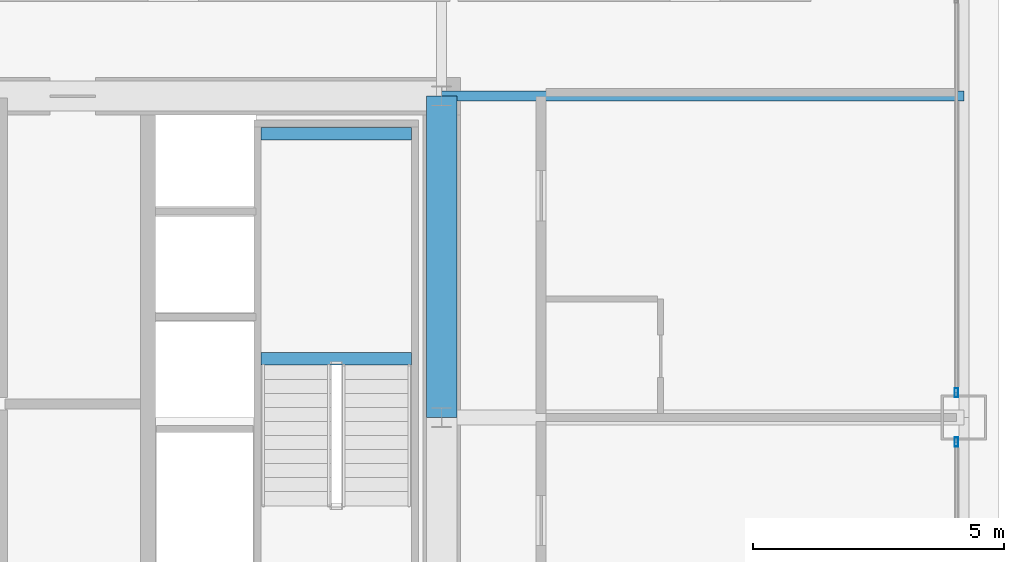
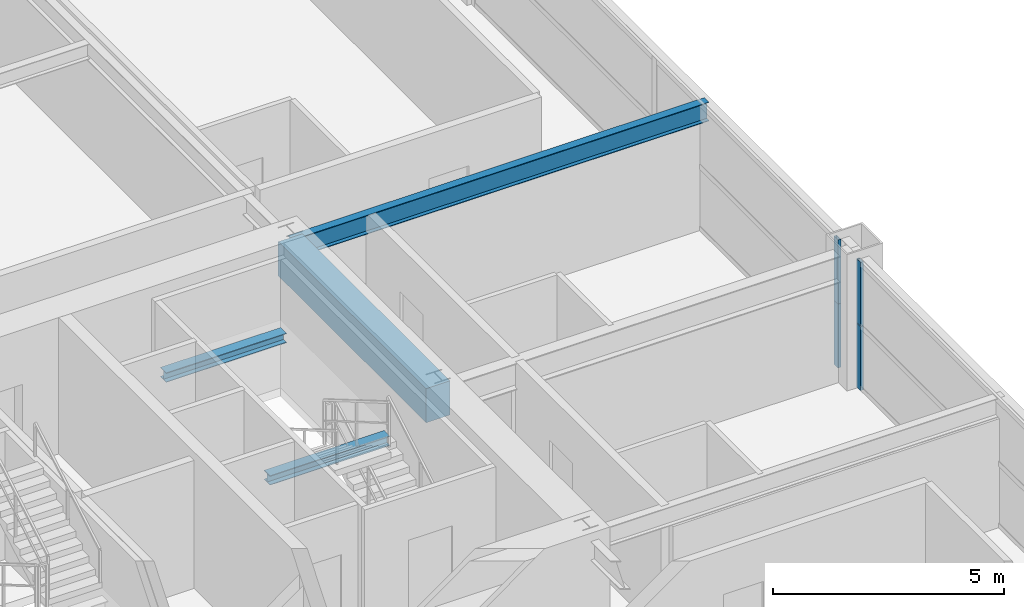
# One storey, part 20 of 39: 4 beams, 4 members, 2 elements without a shape of their own.
"""IFC4 building model written with IfcOpenShell, lengths in metres."""

from ifc_helpers import new_model, si_unit, direction, frame, origin, origin_2d, place, context, subcontext, project, spatial, rectangle, hollow_rectangle, i_section, extrude, source, transform, mapped, material, layer, layer_set, material_profile, profile_set, type_object, element, aggregate, save


model = new_model("IFC4")

# Units and contexts
model_context = context("Model", 3, precision=1e-05, world=origin(), true_north=direction((0.0, 1.0)))
body_context = subcontext(model_context, "Body", "Model", "MODEL_VIEW")
ifc_project = project(units=[si_unit("LENGTHUNIT", "METRE"), si_unit("AREAUNIT", "SQUARE_METRE"), si_unit("VOLUMEUNIT", "CUBIC_METRE"), si_unit("PLANEANGLEUNIT", "RADIAN"), si_unit("MASSUNIT", "GRAM", prefix="KILO"), si_unit("THERMODYNAMICTEMPERATUREUNIT", "KELVIN"), si_unit("POWERUNIT", "WATT")], contexts=[model_context])

# Site, building, storey
site_placement = place(None, origin())
site = spatial("IfcSite", under=ifc_project, at=site_placement, CompositionType="ELEMENT")
building_placement = place(site_placement, origin())
building = spatial("IfcBuilding", under=site, at=building_placement, Name="Yuzanri Waterfront Tower", CompositionType="ELEMENT")
storey_placement = place(building_placement, frame((0.0, 0.0, 134.39990234375)))
storey = spatial("IfcBuildingStorey", under=building, at=storey_placement, Name="L35", CompositionType="ELEMENT", Elevation=134.39990234375)

# Beams
ifc_material_1 = material(Name="Concrete C60", Category="concrete")
ifc_material_profile_1 = material_profile(ifc_material_1, rectangle(XDim=0.60009765625, YDim=0.89990234375, at=origin_2d()), Name="RC 600x900")
ifc_profile_set_1 = profile_set([ifc_material_profile_1], Name="Concrete C60")
beam_type_1 = type_object("IfcBeamType", Name="Core Coupling Lintel Concrete C60 600x900", PredefinedType="LINTEL", material=ifc_profile_set_1)
shared_shape_1 = source(origin(), body_context, "Body", "SweptSolid", [
    extrude(rectangle(XDim=0.60009765625, YDim=0.89990234375, at=origin_2d()), origin(), (0.0, 0.0, 1.0), 6.39990234375),
])
beam_1_placement = place(storey_placement, frame((50.199951171875, 25.800048828125, 2.93017578125), z_axis=(0.0, 1.0, 0.0), x_axis=(-1.0, 0.0, 0.0)))
element("IfcBeam", 1, at=beam_1_placement, inside=storey, type_object=beam_type_1, Name="L35 Core Tie Beam CE2", PredefinedType="LINTEL", context=body_context, shape_type="MappedRepresentation", body=[
    mapped(shared_shape_1, transform((0.0, 0.0, 0.0), scale=1.0)),
])
ifc_material_2 = material(Name="Steel Q355B", Category="steel")
ifc_material_profile_2 = material_profile(ifc_material_2, i_section(OverallWidth=0.199951171875, OverallDepth=0.5, WebThickness=0.010009765625, FlangeThickness=0.01611328125, at=origin_2d()), Name="HN 500x200x10x16")
ifc_profile_set_2 = profile_set([ifc_material_profile_2], Name="Steel Q355B")
beam_type_2 = type_object("IfcBeamType", Name="Secondary Floor Beam Q355B HN 500x200", PredefinedType="BEAM", material=ifc_profile_set_2)
shared_shape_2 = source(origin(), body_context, "Body", "SweptSolid", [
    extrude(i_section(OverallWidth=0.199951171875, OverallDepth=0.5, WebThickness=0.010009765625, FlangeThickness=0.01611328125, at=origin_2d()), origin(), (0.0, 0.0, 1.0), 10.400146484375),
])
beam_2_placement = place(storey_placement, frame((50.199951171875, 32.199951171875, 3.130126953125), z_axis=(1.0, 0.0, 0.0), x_axis=(0.0, 1.0, 0.0)))
element("IfcBeam", 2, at=beam_2_placement, inside=storey, type_object=beam_type_2, Name="L35 East-North Core Line Beam", PredefinedType="BEAM", context=body_context, shape_type="MappedRepresentation", body=[
    mapped(shared_shape_2, transform((0.0, 0.0, 0.0), scale=1.0)),
])

# Curtain wall, members
ifc_material_3 = material(Name="Anodized Architectural Bronze", Category="metal")
ifc_layer = layer(ifc_material_3, 0.159912109375)
ifc_layer_set = layer_set([ifc_layer], Name="Anodized Architectural Bronze")
curtain_wall_type = type_object("IfcCurtainWallType", Name="Anodized Bronze Hotel Upper-Tier Solar-Control Unitized Curtain Wall 7800", PredefinedType="NOTDEFINED", material=ifc_layer_set)
curtain_wall_1_placement = place(storey_placement, origin())
curtain_wall_1 = element("IfcCurtainWall", 3, at=curtain_wall_1_placement, inside=storey, type_object=curtain_wall_type, Name="L35 Curtain Wall CW-L35-EL", PredefinedType="NOTDEFINED")
ifc_material_4 = material(Name="Anodized Architectural Bronze", Category="metal")
ifc_material_profile_3 = material_profile(ifc_material_4, hollow_rectangle(XDim=0.070068359375, YDim=0.179931640625, WallThickness=0.00390625, at=origin_2d()), Name="CWM 70x180")
ifc_profile_set_3 = profile_set([ifc_material_profile_3], Name="Anodized Architectural Bronze")
member_type = type_object("IfcMemberType", Name="Anodized Bronze Standard Curtain-Wall Mullion 70x180", PredefinedType="MULLION", material=ifc_profile_set_3)
shared_shape_3 = source(origin(), body_context, "Body", "SweptSolid", [
    extrude(hollow_rectangle(XDim=0.070068359375, YDim=0.179931640625, WallThickness=0.00390625, at=origin_2d()), origin(), (0.0, 0.0, 1.0), 1.68798828125),
])
member_1_placement = place(storey_placement, frame((60.449951171875, 25.31005859375, 0.0), z_axis=(0.0, 0.0, 1.0), x_axis=(1.0, 0.0, 0.0)))
member_1 = element("IfcMember", 4, at=member_1_placement, type_object=member_type, Name="CW-L35-EL Lower Mullion 02", PredefinedType="MULLION", context=body_context, shape_type="MappedRepresentation", body=[
    mapped(shared_shape_3, transform((0.0, 0.0, 0.0), scale=1.0)),
])
member_2_placement = place(storey_placement, frame((60.449951171875, 25.31005859375, 1.692138671875), z_axis=(0.0, 0.0, 1.0), x_axis=(1.0, 0.0, 0.0)))
member_2 = element("IfcMember", 5, at=member_2_placement, type_object=member_type, Name="CW-L35-EL Upper Mullion 02", PredefinedType="MULLION", context=body_context, shape_type="MappedRepresentation", body=[
    mapped(shared_shape_3, transform((0.0, 0.0, 0.0), scale=1.0)),
])
aggregate(curtain_wall_1, [member_1, member_2])

curtain_wall_2_placement = place(storey_placement, origin())
curtain_wall_2 = element("IfcCurtainWall", 6, at=curtain_wall_2_placement, inside=storey, type_object=curtain_wall_type, Name="L35 Curtain Wall CW-L35-ER", PredefinedType="NOTDEFINED")
member_3_placement = place(storey_placement, frame((60.449951171875, 26.2900390625, 0.0), z_axis=(0.0, 0.0, 1.0), x_axis=(1.0, 0.0, 0.0)))
member_3 = element("IfcMember", 7, at=member_3_placement, type_object=member_type, Name="CW-L35-ER Lower Mullion 00", PredefinedType="MULLION", context=body_context, shape_type="MappedRepresentation", body=[
    mapped(shared_shape_3, transform((0.0, 0.0, 0.0), scale=1.0)),
])
member_4_placement = place(storey_placement, frame((60.449951171875, 26.2900390625, 1.692138671875), z_axis=(0.0, 0.0, 1.0), x_axis=(1.0, 0.0, 0.0)))
member_4 = element("IfcMember", 8, at=member_4_placement, type_object=member_type, Name="CW-L35-ER Upper Mullion 00", PredefinedType="MULLION", context=body_context, shape_type="MappedRepresentation", body=[
    mapped(shared_shape_3, transform((0.0, 0.0, 0.0), scale=1.0)),
])
aggregate(curtain_wall_2, [member_3, member_4])

# Beams
ifc_material_5 = material(Name="Steel Q355B", Category="steel")
ifc_material_profile_4 = material_profile(ifc_material_5, i_section(OverallWidth=0.25, OverallDepth=0.25, WebThickness=0.009033203125, FlangeThickness=0.013916015625, at=origin_2d()), Name="HW 250x250x9x14")
ifc_profile_set_4 = profile_set([ifc_material_profile_4], Name="Steel Q355B")
beam_type_3 = type_object("IfcBeamType", Name="Stair Landing Support Beam Q355B HW 250x250", PredefinedType="BEAM", material=ifc_profile_set_4)
shared_shape_4 = source(origin(), body_context, "Body", "SweptSolid", [
    extrude(i_section(OverallWidth=0.25, OverallDepth=0.25, WebThickness=0.009033203125, FlangeThickness=0.013916015625, at=origin_2d()), origin(), (0.0, 0.0, 1.0), 3.0),
])
for number, where, z_axis, x_axis, name in (
    (9, (46.60009765625, 26.969970703125, 1.47509765625), (1.0, 0.0, 0.0), (0.0, 1.0, 0.0), "L35 Stair Landing Support Beam ST-02-L35-L1-1"),
    (10, (46.60009765625, 31.449951171875, 1.47509765625), (1.0, 0.0, 0.0), (0.0, 1.0, 0.0), "L35 Stair Landing Support Beam ST-02-L35-L1-2"),
):
    element("IfcBeam", number, at=place(storey_placement, frame(where, z_axis=z_axis, x_axis=x_axis)), inside=storey, type_object=beam_type_3, Name=name, PredefinedType="BEAM", context=body_context, shape_type="MappedRepresentation", body=[
        mapped(shared_shape_4, transform((0.0, 0.0, 0.0), scale=1.0)),
    ])

save(model, "model.ifc")
